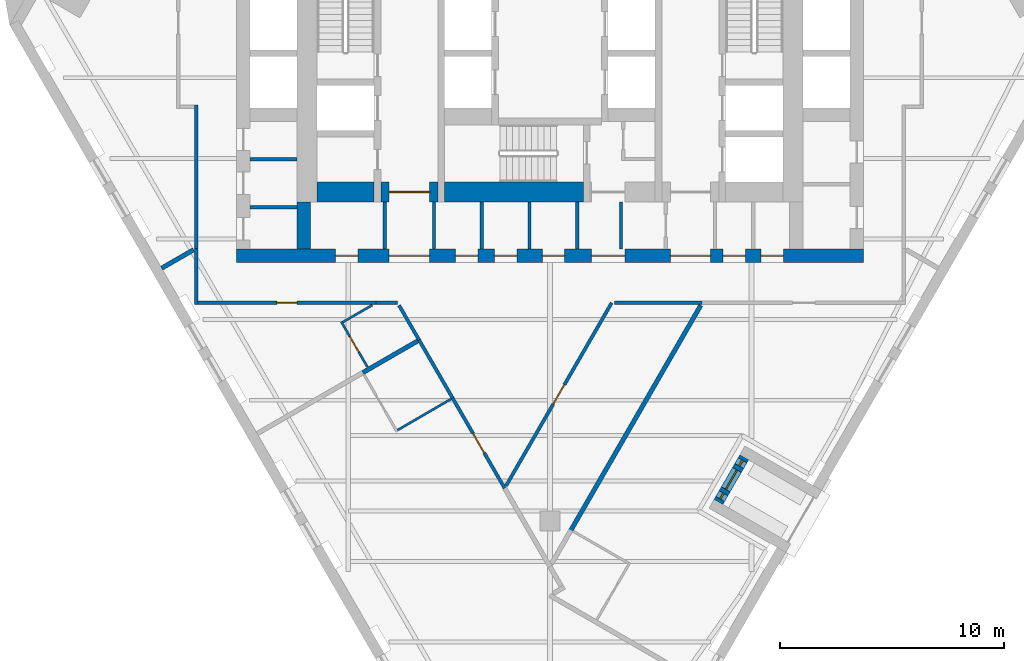
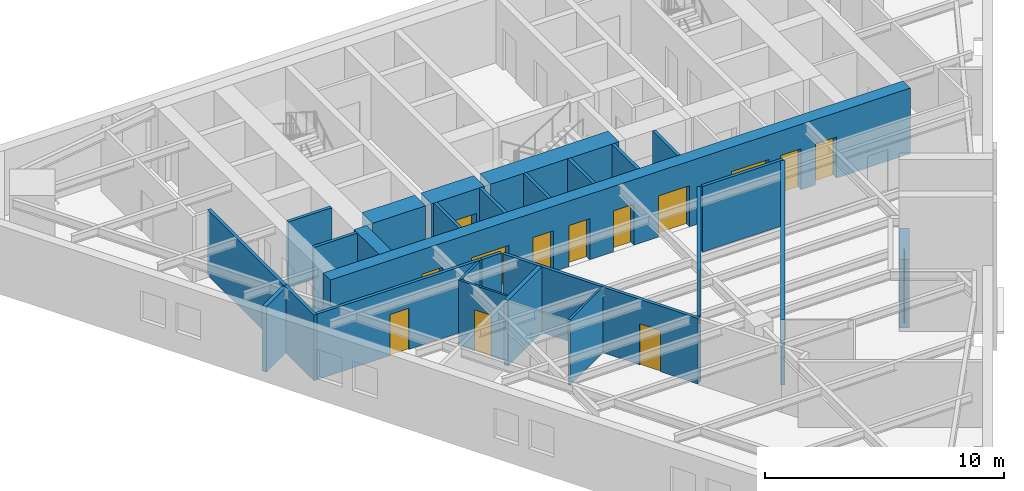
# One storey, part 3 of 7: 29 walls, 15 doors, 2 windows, 17 openings.
"""IFC4 building model written with IfcOpenShell, lengths in metres."""

from ifc_helpers import new_model, si_unit, direction, frame, frame_2d, origin, place, context, subcontext, project, spatial, rectangle, extrude, material, layer, layer_set, type_object, element, fill, save


model = new_model("IFC4")

# Units and contexts
model_context = context("Model", 3, precision=1e-05, world=origin(), true_north=direction((0.0, 1.0)))
body_context = subcontext(model_context, "Body", "Model", "MODEL_VIEW")
ifc_project = project(units=[si_unit("LENGTHUNIT", "METRE"), si_unit("AREAUNIT", "SQUARE_METRE"), si_unit("VOLUMEUNIT", "CUBIC_METRE"), si_unit("PLANEANGLEUNIT", "RADIAN"), si_unit("MASSUNIT", "GRAM", prefix="KILO")], contexts=[model_context])

# Site, building, storey
site_placement = place(None, origin())
site = spatial("IfcSite", under=ifc_project, at=site_placement, CompositionType="ELEMENT")
building_placement = place(site_placement, origin())
building = spatial("IfcBuilding", under=site, at=building_placement, Name="Aloe Facet Convention Tower", CompositionType="ELEMENT")
storey_placement = place(building_placement, frame((0.0, 0.0, 113.300048828125)))
storey = spatial("IfcBuildingStorey", under=building, at=storey_placement, Name="L28", CompositionType="ELEMENT", Elevation=113.300048828125)

# Walls
ifc_material_1 = material(Name="Concrete blockwork partition", Category="masonry")
ifc_layer_1 = layer(ifc_material_1, 0.14990234375)
ifc_layer_set_1 = layer_set([ifc_layer_1], Name="CR-W-PART150")
wall_type_1 = type_object("IfcWallType", Name="CR-W-PART150", PredefinedType="PARTITIONING", material=ifc_layer_set_1)
for number, where, z_axis, x_axis, name in (
    (1, (66.60009765625, 124.16455078125, 0.0), (0.0, 0.0, 1.0), (1.0, 0.0, 0.0), "Core partition L28-007"),
    (2, (66.60009765625, 122.02490234375, 0.0), (0.0, 0.0, 1.0), (1.0, 0.0, 0.0), "Core partition L28-008"),
):
    element("IfcWall", number, at=place(storey_placement, frame(where, z_axis=z_axis, x_axis=x_axis)), inside=storey, type_object=wall_type_1, Name=name, PredefinedType="PARTITIONING", context=body_context, shape_type="SweptSolid", body=[
        extrude(rectangle(XDim=2.099853515625, YDim=0.14990234375, at=frame_2d((1.0498046875, 0.0))), origin(), (0.0, 0.0, 1.0), 3.349853515625),
    ])
for number, where, z_axis, x_axis, name in (
    (3, (72.625, 122.25, 0.0), (0.0, 0.0, 1.0), (0.0, -1.0, 0.0), "Core partition L28-017"),
    (4, (74.824951171875, 122.25, 0.0), (0.0, 0.0, 1.0), (0.0, -1.0, 0.0), "Core partition L28-018"),
    (5, (76.958251953125, 122.25, 0.0), (0.0, 0.0, 1.0), (0.0, -1.0, 0.0), "Core partition L28-024"),
    (6, (79.091552734375, 122.25, 0.0), (0.0, 0.0, 1.0), (0.0, -1.0, 0.0), "Core partition L28-027"),
    (7, (81.22509765625, 122.25, 0.0), (0.0, 0.0, 1.0), (0.0, -1.0, 0.0), "Core partition L28-028"),
    (8, (83.175048828125, 122.25, 0.0), (0.0, 0.0, 1.0), (0.0, -1.0, 0.0), "Core partition L28-035"),
):
    element("IfcWall", number, at=place(storey_placement, frame(where, z_axis=z_axis, x_axis=x_axis)), inside=storey, type_object=wall_type_1, Name=name, PredefinedType="PARTITIONING", context=body_context, shape_type="SweptSolid", body=[
        extrude(rectangle(XDim=2.10009765625, YDim=0.14990234375, at=frame_2d((1.050048828125, 0.0))), origin(), (0.0, 0.0, 1.0), 3.349853515625),
    ])

# Wall, openings, doors
ifc_material_2 = material(Name="Concrete C70/85", Category="concrete")
ifc_layer_2 = layer(ifc_material_2, 0.60009765625)
ifc_layer_set_2 = layer_set([ifc_layer_2], Name="CR-W-RC600-C7085")
wall_type_2 = type_object("IfcWallType", Name="CR-W-RC600-C7085", PredefinedType="SOLIDWALL", material=ifc_layer_set_2)
wall_1_placement = place(storey_placement, frame((66.0, 119.85009765625, 0.0), z_axis=(0.0, 0.0, 1.0), x_axis=(1.0, 0.0, 0.0)))
wall_1 = element("IfcWall", 9, at=wall_1_placement, inside=storey, type_object=wall_type_2, Name="Core wall L28-003", PredefinedType="SOLIDWALL", context=body_context, shape_type="SweptSolid", body=[
    extrude(rectangle(XDim=28.0, YDim=0.60009765625, at=frame_2d((14.0, 0.0))), origin(), (0.0, 0.0, 1.0), 3.349853515625),
])
opening_1_placement = place(wall_1_placement, frame((6.824951171875, 0.0, 0.0)))
opening_1 = element("IfcOpeningElement", 10, at=opening_1_placement, cuts=wall_1, Name="Opening L28-CD16", PredefinedType="OPENING", context=body_context, shape_type="SweptSolid", body=[
    extrude(rectangle(XDim=1.800048828125, YDim=2.10009765625, at=frame_2d((0.89990234375, 1.050048828125))), frame((0.0, 0.31005859375, 0.0), z_axis=(0.0, -1.0, 0.0), x_axis=(1.0, 0.0, 0.0)), (0.0, 0.0, 1.0), 0.6201171875),
])
opening_2_placement = place(wall_1_placement, frame((15.85009765625, 0.0, 0.0)))
opening_2 = element("IfcOpeningElement", 11, at=opening_2_placement, cuts=wall_1, Name="Opening L28-CD17", PredefinedType="OPENING", context=body_context, shape_type="SweptSolid", body=[
    extrude(rectangle(XDim=1.5, YDim=2.10009765625, at=frame_2d((0.75, 1.050048828125))), frame((0.0, 0.31005859375, 0.0), z_axis=(0.0, -1.0, 0.0), x_axis=(1.0, 0.0, 0.0)), (0.0, 0.0, 1.0), 0.6201171875),
])
opening_3_placement = place(wall_1_placement, frame((19.375, 0.0, 0.0)))
opening_3 = element("IfcOpeningElement", 12, at=opening_3_placement, cuts=wall_1, Name="Opening L28-CD18", PredefinedType="OPENING", context=body_context, shape_type="SweptSolid", body=[
    extrude(rectangle(XDim=1.800048828125, YDim=2.10009765625, at=frame_2d((0.89990234375, 1.050048828125))), frame((0.0, 0.31005859375, 0.0), z_axis=(0.0, -1.0, 0.0), x_axis=(1.0, 0.0, 0.0)), (0.0, 0.0, 1.0), 0.6201171875),
])
opening_4_placement = place(wall_1_placement, frame((4.425048828125, 0.0, 0.0)))
opening_4 = element("IfcOpeningElement", 13, at=opening_4_placement, cuts=wall_1, Name="Opening L28-CD23", PredefinedType="OPENING", context=body_context, shape_type="SweptSolid", body=[
    extrude(rectangle(XDim=1.0, YDim=2.10009765625, at=frame_2d((0.5, 1.050048828125))), frame((0.0, 0.31005859375, 0.0), z_axis=(0.0, -1.0, 0.0), x_axis=(1.0, 0.0, 0.0)), (0.0, 0.0, 1.0), 0.6201171875),
])
opening_5_placement = place(wall_1_placement, frame((9.783203125, 0.0, 0.0)))
opening_5 = element("IfcOpeningElement", 14, at=opening_5_placement, cuts=wall_1, Name="Opening L28-CD24", PredefinedType="OPENING", context=body_context, shape_type="SweptSolid", body=[
    extrude(rectangle(XDim=1.0, YDim=2.10009765625, at=frame_2d((0.5, 1.050048828125))), frame((0.0, 0.31005859375, 0.0), z_axis=(0.0, -1.0, 0.0), x_axis=(1.0, 0.0, 0.0)), (0.0, 0.0, 1.0), 0.6201171875),
])
opening_6_placement = place(wall_1_placement, frame((11.52490234375, 0.0, 0.0)))
opening_6 = element("IfcOpeningElement", 15, at=opening_6_placement, cuts=wall_1, Name="Opening L28-CD25", PredefinedType="OPENING", context=body_context, shape_type="SweptSolid", body=[
    extrude(rectangle(XDim=1.0, YDim=2.10009765625, at=frame_2d((0.5, 1.050048828125))), frame((0.0, 0.31005859375, 0.0), z_axis=(0.0, -1.0, 0.0), x_axis=(1.0, 0.0, 0.0)), (0.0, 0.0, 1.0), 0.6201171875),
])
opening_7_placement = place(wall_1_placement, frame((13.658203125, 0.0, 0.0)))
opening_7 = element("IfcOpeningElement", 16, at=opening_7_placement, cuts=wall_1, Name="Opening L28-CD26", PredefinedType="OPENING", context=body_context, shape_type="SweptSolid", body=[
    extrude(rectangle(XDim=1.0, YDim=2.10009765625, at=frame_2d((0.5, 1.050048828125))), frame((0.0, 0.31005859375, 0.0), z_axis=(0.0, -1.0, 0.0), x_axis=(1.0, 0.0, 0.0)), (0.0, 0.0, 1.0), 0.6201171875),
])
opening_8_placement = place(wall_1_placement, frame((21.72509765625, 0.0, 0.0)))
opening_8 = element("IfcOpeningElement", 17, at=opening_8_placement, cuts=wall_1, Name="Opening L28-CD28", PredefinedType="OPENING", context=body_context, shape_type="SweptSolid", body=[
    extrude(rectangle(XDim=1.0, YDim=2.10009765625, at=frame_2d((0.5, 1.050048828125))), frame((0.0, 0.31005859375, 0.0), z_axis=(0.0, -1.0, 0.0), x_axis=(1.0, 0.0, 0.0)), (0.0, 0.0, 1.0), 0.6201171875),
])
opening_9_placement = place(wall_1_placement, frame((23.425048828125, 0.0, 0.0)))
opening_9 = element("IfcOpeningElement", 18, at=opening_9_placement, cuts=wall_1, Name="Opening L28-CD29", PredefinedType="OPENING", context=body_context, shape_type="SweptSolid", body=[
    extrude(rectangle(XDim=1.0, YDim=2.10009765625, at=frame_2d((0.5, 1.050048828125))), frame((0.0, 0.31005859375, 0.0), z_axis=(0.0, -1.0, 0.0), x_axis=(1.0, 0.0, 0.0)), (0.0, 0.0, 1.0), 0.6201171875),
])
ifc_material_3 = material(Name="Steel fire-resisting door set FD60", Category="steel")
door_type_1 = type_object("IfcDoorType", Name="CR-D-EXIT-1500-FD60-DD", OperationType="DOUBLE_DOOR_DOUBLE_SWING", PredefinedType="DOOR", material=ifc_material_3)
door_1_placement = place(opening_2_placement, origin())
door_1 = element("IfcDoor", 19, at=door_1_placement, inside=storey, type_object=door_type_1, Name="Core door L28-CD17", OperationType="DOUBLE_DOOR_DOUBLE_SWING", OverallHeight=2.10009765625, OverallWidth=1.5, PredefinedType="DOOR", context=body_context, shape_type="SweptSolid", body=[
    extrude(rectangle(XDim=1.5, YDim=2.10009765625, at=frame_2d((0.75, 1.050048828125))), frame((0.0, 0.02490234375, 0.0), z_axis=(0.0, -1.0, 0.0), x_axis=(1.0, 0.0, 0.0)), (0.0, 0.0, 1.0), 0.050048828125),
])
fill(opening_2, door_1)
ifc_material_4 = material(Name="Steel fire-resisting door set FD60", Category="steel")
door_type_2 = type_object("IfcDoorType", Name="CR-D-EXIT-1800-FD60-DD", OperationType="DOUBLE_DOOR_DOUBLE_SWING", PredefinedType="DOOR", material=ifc_material_4)
door_2_placement = place(opening_1_placement, origin())
door_2 = element("IfcDoor", 20, at=door_2_placement, inside=storey, type_object=door_type_2, Name="Core door L28-CD16", OperationType="DOUBLE_DOOR_DOUBLE_SWING", OverallHeight=2.10009765625, OverallWidth=1.800048828125, PredefinedType="DOOR", context=body_context, shape_type="SweptSolid", body=[
    extrude(rectangle(XDim=1.800048828125, YDim=2.10009765625, at=frame_2d((0.89990234375, 1.050048828125))), frame((0.0, 0.02490234375, 0.0), z_axis=(0.0, -1.0, 0.0), x_axis=(1.0, 0.0, 0.0)), (0.0, 0.0, 1.0), 0.050048828125),
])
fill(opening_1, door_2)
door_3_placement = place(opening_3_placement, origin())
door_3 = element("IfcDoor", 21, at=door_3_placement, inside=storey, type_object=door_type_2, Name="Core door L28-CD18", OperationType="DOUBLE_DOOR_DOUBLE_SWING", OverallHeight=2.10009765625, OverallWidth=1.800048828125, PredefinedType="DOOR", context=body_context, shape_type="SweptSolid", body=[
    extrude(rectangle(XDim=1.800048828125, YDim=2.10009765625, at=frame_2d((0.89990234375, 1.050048828125))), frame((0.0, 0.02490234375, 0.0), z_axis=(0.0, -1.0, 0.0), x_axis=(1.0, 0.0, 0.0)), (0.0, 0.0, 1.0), 0.050048828125),
])
fill(opening_3, door_3)
ifc_material_5 = material(Name="Steel fire-resisting door set FD60", Category="steel")
door_type_3 = type_object("IfcDoorType", Name="CR-D-ROOM-1000-FD60-SRIGHT", OperationType="SINGLE_SWING_RIGHT", PredefinedType="DOOR", material=ifc_material_5)
door_4_placement = place(opening_4_placement, origin())
door_4 = element("IfcDoor", 22, at=door_4_placement, inside=storey, type_object=door_type_3, Name="Core door L28-CD23", OperationType="SINGLE_SWING_RIGHT", OverallHeight=2.10009765625, OverallWidth=1.0, PredefinedType="DOOR", context=body_context, shape_type="SweptSolid", body=[
    extrude(rectangle(XDim=1.0, YDim=2.10009765625, at=frame_2d((0.5, 1.050048828125))), frame((0.0, 0.02490234375, 0.0), z_axis=(0.0, -1.0, 0.0), x_axis=(1.0, 0.0, 0.0)), (0.0, 0.0, 1.0), 0.050048828125),
])
fill(opening_4, door_4)
door_5_placement = place(opening_5_placement, origin())
door_5 = element("IfcDoor", 23, at=door_5_placement, inside=storey, type_object=door_type_3, Name="Core door L28-CD24", OperationType="SINGLE_SWING_RIGHT", OverallHeight=2.10009765625, OverallWidth=1.0, PredefinedType="DOOR", context=body_context, shape_type="SweptSolid", body=[
    extrude(rectangle(XDim=1.0, YDim=2.10009765625, at=frame_2d((0.5, 1.050048828125))), frame((0.0, 0.02490234375, 0.0), z_axis=(0.0, -1.0, 0.0), x_axis=(1.0, 0.0, 0.0)), (0.0, 0.0, 1.0), 0.050048828125),
])
fill(opening_5, door_5)
door_6_placement = place(opening_6_placement, origin())
door_6 = element("IfcDoor", 24, at=door_6_placement, inside=storey, type_object=door_type_3, Name="Core door L28-CD25", OperationType="SINGLE_SWING_RIGHT", OverallHeight=2.10009765625, OverallWidth=1.0, PredefinedType="DOOR", context=body_context, shape_type="SweptSolid", body=[
    extrude(rectangle(XDim=1.0, YDim=2.10009765625, at=frame_2d((0.5, 1.050048828125))), frame((0.0, 0.02490234375, 0.0), z_axis=(0.0, -1.0, 0.0), x_axis=(1.0, 0.0, 0.0)), (0.0, 0.0, 1.0), 0.050048828125),
])
fill(opening_6, door_6)
door_7_placement = place(opening_7_placement, origin())
door_7 = element("IfcDoor", 25, at=door_7_placement, inside=storey, type_object=door_type_3, Name="Core door L28-CD26", OperationType="SINGLE_SWING_RIGHT", OverallHeight=2.10009765625, OverallWidth=1.0, PredefinedType="DOOR", context=body_context, shape_type="SweptSolid", body=[
    extrude(rectangle(XDim=1.0, YDim=2.10009765625, at=frame_2d((0.5, 1.050048828125))), frame((0.0, 0.02490234375, 0.0), z_axis=(0.0, -1.0, 0.0), x_axis=(1.0, 0.0, 0.0)), (0.0, 0.0, 1.0), 0.050048828125),
])
fill(opening_7, door_7)
door_8_placement = place(opening_8_placement, origin())
door_8 = element("IfcDoor", 26, at=door_8_placement, inside=storey, type_object=door_type_3, Name="Core door L28-CD28", OperationType="SINGLE_SWING_RIGHT", OverallHeight=2.10009765625, OverallWidth=1.0, PredefinedType="DOOR", context=body_context, shape_type="SweptSolid", body=[
    extrude(rectangle(XDim=1.0, YDim=2.10009765625, at=frame_2d((0.5, 1.050048828125))), frame((0.0, 0.02490234375, 0.0), z_axis=(0.0, -1.0, 0.0), x_axis=(1.0, 0.0, 0.0)), (0.0, 0.0, 1.0), 0.050048828125),
])
fill(opening_8, door_8)
door_9_placement = place(opening_9_placement, origin())
door_9 = element("IfcDoor", 27, at=door_9_placement, inside=storey, type_object=door_type_3, Name="Core door L28-CD29", OperationType="SINGLE_SWING_RIGHT", OverallHeight=2.10009765625, OverallWidth=1.0, PredefinedType="DOOR", context=body_context, shape_type="SweptSolid", body=[
    extrude(rectangle(XDim=1.0, YDim=2.10009765625, at=frame_2d((0.5, 1.050048828125))), frame((0.0, 0.02490234375, 0.0), z_axis=(0.0, -1.0, 0.0), x_axis=(1.0, 0.0, 0.0)), (0.0, 0.0, 1.0), 0.050048828125),
])
fill(opening_9, door_9)

# Walls
wall_2_placement = place(storey_placement, frame((69.0, 122.25, 0.0), z_axis=(0.0, 0.0, 1.0), x_axis=(0.0, -1.0, 0.0)))
element("IfcWall", 28, at=wall_2_placement, inside=storey, type_object=wall_type_2, Name="Core wall L28-010", PredefinedType="SOLIDWALL", context=body_context, shape_type="SweptSolid", body=[
    extrude(rectangle(XDim=2.10009765625, YDim=0.60009765625, at=frame_2d((1.050048828125, 0.0))), origin(), (0.0, 0.0, 1.0), 3.349853515625),
])
ifc_material_6 = material(Name="Concrete C70/85", Category="concrete")
ifc_layer_3 = layer(ifc_material_6, 0.89990234375)
ifc_layer_set_3 = layer_set([ifc_layer_3], Name="CR-W-RC900-C7085")
wall_type_3 = type_object("IfcWallType", Name="CR-W-RC900-C7085", PredefinedType="SOLIDWALL", material=ifc_layer_set_3)
wall_3_placement = place(storey_placement, frame((69.60009765625, 122.699951171875, 0.0), z_axis=(0.0, 0.0, 1.0), x_axis=(1.0, 0.0, 0.0)))
element("IfcWall", 29, at=wall_3_placement, inside=storey, type_object=wall_type_3, Name="Core wall L28-013", PredefinedType="SOLIDWALL", context=body_context, shape_type="SweptSolid", body=[
    extrude(rectangle(XDim=2.5498046875, YDim=0.89990234375, at=frame_2d((1.27490234375, 0.0))), origin(), (0.0, 0.0, 1.0), 3.349853515625),
])

# Wall, opening, door
wall_4_placement = place(storey_placement, frame((72.449951171875, 122.699951171875, 0.0), z_axis=(0.0, 0.0, 1.0), x_axis=(1.0, 0.0, 0.0)))
wall_4 = element("IfcWall", 30, at=wall_4_placement, inside=storey, type_object=wall_type_3, Name="Core wall L28-016", PredefinedType="SOLIDWALL", context=body_context, shape_type="SweptSolid", body=[
    extrude(rectangle(XDim=2.550048828125, YDim=0.89990234375, at=frame_2d((1.27490234375, 0.0))), origin(), (0.0, 0.0, 1.0), 3.349853515625),
])
opening_10_placement = place(wall_4_placement, frame((0.375, 0.0, 0.0)))
opening_10 = element("IfcOpeningElement", 31, at=opening_10_placement, cuts=wall_4, Name="Opening L28-CD14", PredefinedType="OPENING", context=body_context, shape_type="SweptSolid", body=[
    extrude(rectangle(XDim=1.800048828125, YDim=2.10009765625, at=frame_2d((0.89990234375, 1.050048828125))), frame((0.0, 0.4599609375, 0.0), z_axis=(0.0, -1.0, 0.0), x_axis=(1.0, 0.0, 0.0)), (0.0, 0.0, 1.0), 0.919921875),
])
ifc_material_7 = material(Name="Steel fire-resisting door set FD120", Category="steel")
door_type_4 = type_object("IfcDoorType", Name="CR-D-EXIT-1800-FD120-DD", OperationType="DOUBLE_DOOR_DOUBLE_SWING", PredefinedType="DOOR", material=ifc_material_7)
door_10_placement = place(opening_10_placement, origin())
door_10 = element("IfcDoor", 32, at=door_10_placement, inside=storey, type_object=door_type_4, Name="Core door L28-CD14", OperationType="DOUBLE_DOOR_DOUBLE_SWING", OverallHeight=2.10009765625, OverallWidth=1.800048828125, PredefinedType="DOOR", context=body_context, shape_type="SweptSolid", body=[
    extrude(rectangle(XDim=1.800048828125, YDim=2.10009765625, at=frame_2d((0.89990234375, 1.050048828125))), frame((0.0, 0.02490234375, 0.0), z_axis=(0.0, -1.0, 0.0), x_axis=(1.0, 0.0, 0.0)), (0.0, 0.0, 1.0), 0.050048828125),
])
fill(opening_10, door_10)

# Wall
wall_5_placement = place(storey_placement, frame((75.300048828125, 122.699951171875, 0.0), z_axis=(0.0, 0.0, 1.0), x_axis=(1.0, 0.0, 0.0)))
element("IfcWall", 33, at=wall_5_placement, inside=storey, type_object=wall_type_3, Name="Core wall L28-023", PredefinedType="SOLIDWALL", context=body_context, shape_type="SweptSolid", body=[
    extrude(rectangle(XDim=6.199951171875, YDim=0.89990234375, at=frame_2d((3.10009765625, 0.0))), origin(), (0.0, 0.0, 1.0), 3.349853515625),
])

# Wall, openings, door, windows
ifc_material_8 = material(Name="Precast concrete C40/50", Category="concrete")
ifc_layer_4 = layer(ifc_material_8, 0.449951171875)
ifc_layer_set_4 = layer_set([ifc_layer_4], Name="EV-WALL-STONE")
wall_type_4 = type_object("IfcWallType", Name="EV-WALL-STONE", PredefinedType="SOLIDWALL", material=ifc_layer_set_4)
wall_6_placement = place(storey_placement, frame((87.527587890625, 108.85888671875, -0.150146484375), z_axis=(0.0, 0.0, 1.0), x_axis=(0.500077740698, 0.865980515519, 0.0)))
wall_6 = element("IfcWall", 34, at=wall_6_placement, inside=storey, type_object=wall_type_4, Name="TB-T06-L28", PredefinedType="SOLIDWALL", context=body_context, shape_type="SweptSolid", body=[
    extrude(rectangle(XDim=2.300048828125, YDim=0.449951171875, at=frame_2d((1.14990234375, 0.0))), origin(), (0.0, 0.0, 1.0), 3.5),
])
opening_11_placement = place(wall_6_placement, frame((0.64990234375, 0.0, 0.14990234375)))
opening_11 = element("IfcOpeningElement", 35, at=opening_11_placement, cuts=wall_6, Name="Opening D-T06", PredefinedType="OPENING", context=body_context, shape_type="SweptSolid", body=[
    extrude(rectangle(XDim=1.0, YDim=2.39990234375, at=frame_2d((0.5, 1.199951171875))), frame((0.0, 0.23486328125, 0.0), z_axis=(0.0, -1.0, 0.0), x_axis=(1.0, 0.0, 0.0)), (0.0, 0.0, 1.0), 0.469970703125),
])
opening_12_placement = place(wall_6_placement, frame((0.14990234375, 0.0, 0.14990234375)))
opening_12 = element("IfcOpeningElement", 36, at=opening_12_placement, cuts=wall_6, Name="Opening G-T06-1", PredefinedType="OPENING", context=body_context, shape_type="SweptSolid", body=[
    extrude(rectangle(XDim=0.300048828125, YDim=2.39990234375, at=frame_2d((0.14990234375, 1.199951171875))), frame((0.0, 0.23486328125, 0.0), z_axis=(0.0, -1.0, 0.0), x_axis=(1.0, 0.0, 0.0)), (0.0, 0.0, 1.0), 0.469970703125),
])
opening_13_placement = place(wall_6_placement, frame((1.85009765625, 0.0, 0.14990234375)))
opening_13 = element("IfcOpeningElement", 37, at=opening_13_placement, cuts=wall_6, Name="Opening G-T06-2", PredefinedType="OPENING", context=body_context, shape_type="SweptSolid", body=[
    extrude(rectangle(XDim=0.300048828125, YDim=2.39990234375, at=frame_2d((0.14990234375, 1.199951171875))), frame((0.0, 0.23486328125, 0.0), z_axis=(0.0, -1.0, 0.0), x_axis=(1.0, 0.0, 0.0)), (0.0, 0.0, 1.0), 0.469970703125),
])
ifc_material_9 = material(Name="Aluminium frame, clear double glazing", Category="aluminium")
door_type_5 = type_object("IfcDoorType", Name="EV-DOOR-TERR", OperationType="SINGLE_SWING_LEFT", PredefinedType="DOOR", material=ifc_material_9)
door_11_placement = place(opening_11_placement, origin())
door_11 = element("IfcDoor", 38, at=door_11_placement, inside=storey, type_object=door_type_5, Name="D-T06", OperationType="SINGLE_SWING_LEFT", OverallHeight=2.39990234375, OverallWidth=1.0, PredefinedType="DOOR", context=body_context, shape_type="SweptSolid", body=[
    extrude(rectangle(XDim=1.0, YDim=2.39990234375, at=frame_2d((0.5, 1.199951171875))), frame((0.0, 0.02490234375, 0.0), z_axis=(0.0, -1.0, 0.0), x_axis=(1.0, 0.0, 0.0)), (0.0, 0.0, 1.0), 0.050048828125),
])
fill(opening_11, door_11)
ifc_material_10 = material(Name="Aluminium frame, clear double glazing", Category="aluminium")
window_type = type_object("IfcWindowType", Name="EV-WIN-SL30", PartitioningType="SINGLE_PANEL", PredefinedType="WINDOW", material=ifc_material_10)
window_1_placement = place(opening_12_placement, origin())
window_1 = element("IfcWindow", 39, at=window_1_placement, inside=storey, type_object=window_type, Name="G-T06-1", OverallHeight=2.39990234375, OverallWidth=0.300048828125, PartitioningType="SINGLE_PANEL", PredefinedType="WINDOW", context=body_context, shape_type="SweptSolid", body=[
    extrude(rectangle(XDim=0.300048828125, YDim=2.39990234375, at=frame_2d((0.14990234375, 1.199951171875))), frame((0.0, 0.030029296875, 0.0), z_axis=(0.0, -1.0, 0.0), x_axis=(1.0, 0.0, 0.0)), (0.0, 0.0, 1.0), 0.06005859375),
])
fill(opening_12, window_1)
window_2_placement = place(opening_13_placement, origin())
window_2 = element("IfcWindow", 40, at=window_2_placement, inside=storey, type_object=window_type, Name="G-T06-2", OverallHeight=2.39990234375, OverallWidth=0.300048828125, PartitioningType="SINGLE_PANEL", PredefinedType="WINDOW", context=body_context, shape_type="SweptSolid", body=[
    extrude(rectangle(XDim=0.300048828125, YDim=2.39990234375, at=frame_2d((0.14990234375, 1.199951171875))), frame((0.0, 0.030029296875, 0.0), z_axis=(0.0, -1.0, 0.0), x_axis=(1.0, 0.0, 0.0)), (0.0, 0.0, 1.0), 0.06005859375),
])
fill(opening_13, window_2)

# Wall, opening, door
ifc_material_11 = material(Name="Gypsum board partition on steel studs", Category="steel")
ifc_layer_5 = layer(ifc_material_11, 0.14990234375)
ifc_layer_set_5 = layer_set([ifc_layer_5], Name="IN-W-CORR")
wall_type_5 = type_object("IfcWallType", Name="IN-W-CORR", PredefinedType="PARTITIONING", material=ifc_layer_set_5)
wall_7_placement = place(storey_placement, frame((75.6552734375, 113.495849609375, 0.0), z_axis=(0.0, 0.0, 1.0), x_axis=(0.499986163319, -0.866033392248, 0.0)))
wall_7 = element("IfcWall", 41, at=wall_7_placement, inside=storey, type_object=wall_type_5, Name="Partition L28-W011", PredefinedType="PARTITIONING", context=body_context, shape_type="SweptSolid", body=[
    extrude(rectangle(XDim=4.648193359375, YDim=0.14990234375, at=frame_2d((2.32421875, 0.0))), origin(), (0.0, 0.0, 1.0), 3.349853515625),
])
opening_14_placement = place(wall_7_placement, frame((1.823974609375, 0.0, 0.0)))
opening_14 = element("IfcOpeningElement", 42, at=opening_14_placement, cuts=wall_7, Name="Opening L28-002", PredefinedType="OPENING", context=body_context, shape_type="SweptSolid", body=[
    extrude(rectangle(XDim=1.0, YDim=2.10009765625, at=frame_2d((0.5, 1.050048828125))), frame((0.0, 0.0849609375, 0.0), z_axis=(0.0, -1.0, 0.0), x_axis=(1.0, 0.0, 0.0)), (0.0, 0.0, 1.0), 0.169921875),
])
ifc_material_12 = material(Name="Hardwood flush door FD30S", Category="wood")
door_type_6 = type_object("IfcDoorType", Name="IN-D-WIDE", OperationType="SINGLE_SWING_LEFT", PredefinedType="DOOR", material=ifc_material_12)
door_12_placement = place(opening_14_placement, origin())
door_12 = element("IfcDoor", 43, at=door_12_placement, inside=storey, type_object=door_type_6, Name="Door L28-002", OperationType="SINGLE_SWING_LEFT", OverallHeight=2.10009765625, OverallWidth=1.0, PredefinedType="DOOR", context=body_context, shape_type="SweptSolid", body=[
    extrude(rectangle(XDim=1.0, YDim=2.10009765625, at=frame_2d((0.5, 1.050048828125))), frame((0.0, 0.02490234375, 0.0), z_axis=(0.0, -1.0, 0.0), x_axis=(1.0, 0.0, 0.0)), (0.0, 0.0, 1.0), 0.050048828125),
])
fill(opening_14, door_12)

# Walls
wall_8_placement = place(storey_placement, frame((74.16015625, 116.085205078125, 0.0), z_axis=(0.0, 0.0, 1.0), x_axis=(0.500038154266, -0.866003374288, 0.0)))
element("IfcWall", 44, at=wall_8_placement, inside=storey, type_object=wall_type_5, Name="Partition L28-W018", PredefinedType="PARTITIONING", context=body_context, shape_type="SweptSolid", body=[
    extrude(rectangle(XDim=2.989990234375, YDim=0.14990234375, at=frame_2d((1.4951171875, 0.0))), origin(), (0.0, 0.0, 1.0), 3.349853515625),
])
wall_9_placement = place(storey_placement, frame((64.199951171875, 117.675048828125, 0.0), z_axis=(0.0, 0.0, 1.0), x_axis=(0.0, 1.0, 0.0)))
element("IfcWall", 45, at=wall_9_placement, inside=storey, type_object=wall_type_5, Name="Partition L28-W021", PredefinedType="PARTITIONING", context=body_context, shape_type="SweptSolid", body=[
    extrude(rectangle(XDim=2.507568359375, YDim=0.14990234375, at=frame_2d((1.25390625, 0.0))), origin(), (0.0, 0.0, 1.0), 3.349853515625),
])
wall_10_placement = place(storey_placement, frame((72.24365234375, 117.75, 0.0), z_axis=(0.0, 0.0, 1.0), x_axis=(1.0, 0.0, 0.0)))
element("IfcWall", 46, at=wall_10_placement, inside=storey, type_object=wall_type_5, Name="Partition L28-W022", PredefinedType="PARTITIONING", context=body_context, shape_type="SweptSolid", body=[
    extrude(rectangle(XDim=0.95556640625, YDim=0.14990234375, at=frame_2d((0.477783203125, 0.0))), origin(), (0.0, 0.0, 1.0), 3.349853515625),
])

# Wall, opening, door
wall_11_placement = place(storey_placement, frame((64.27490234375, 117.75, 0.0), z_axis=(0.0, 0.0, 1.0), x_axis=(1.0, 0.0, 0.0)))
wall_11 = element("IfcWall", 47, at=wall_11_placement, inside=storey, type_object=wall_type_5, Name="Partition L28-W023", PredefinedType="PARTITIONING", context=body_context, shape_type="SweptSolid", body=[
    extrude(rectangle(XDim=7.96875, YDim=0.14990234375, at=frame_2d((3.984375, 0.0))), origin(), (0.0, 0.0, 1.0), 3.349853515625),
])
opening_15_placement = place(wall_11_placement, frame((3.534423828125, 0.0, 0.0)))
opening_15 = element("IfcOpeningElement", 48, at=opening_15_placement, cuts=wall_11, Name="Opening L28-001", PredefinedType="OPENING", context=body_context, shape_type="SweptSolid", body=[
    extrude(rectangle(XDim=0.89990234375, YDim=2.10009765625, at=frame_2d((0.449951171875, 1.050048828125))), frame((0.0, 0.0849609375, 0.0), z_axis=(0.0, -1.0, 0.0), x_axis=(1.0, 0.0, 0.0)), (0.0, 0.0, 1.0), 0.169921875),
])
ifc_material_13 = material(Name="Hardwood flush door FD30S", Category="wood")
door_type_7 = type_object("IfcDoorType", Name="IN-D-GUEST", OperationType="SINGLE_SWING_LEFT", PredefinedType="DOOR", material=ifc_material_13)
door_13_placement = place(opening_15_placement, origin())
door_13 = element("IfcDoor", 49, at=door_13_placement, inside=storey, type_object=door_type_7, Name="Door L28-001", OperationType="SINGLE_SWING_LEFT", OverallHeight=2.10009765625, OverallWidth=0.89990234375, PredefinedType="DOOR", context=body_context, shape_type="SweptSolid", body=[
    extrude(rectangle(XDim=0.89990234375, YDim=2.10009765625, at=frame_2d((0.449951171875, 1.050048828125))), frame((0.0, 0.02490234375, 0.0), z_axis=(0.0, -1.0, 0.0), x_axis=(1.0, 0.0, 0.0)), (0.0, 0.0, 1.0), 0.050048828125),
])
fill(opening_15, door_13)

# Wall
wall_12_placement = place(storey_placement, frame((73.26416015625, 117.637451171875, 0.0), z_axis=(0.0, 0.0, 1.0), x_axis=(0.499918981156, -0.866072174983, 0.0)))
element("IfcWall", 50, at=wall_12_placement, inside=storey, type_object=wall_type_5, Name="Partition L28-W024", PredefinedType="PARTITIONING", context=body_context, shape_type="SweptSolid", body=[
    extrude(rectangle(XDim=1.792236328125, YDim=0.14990234375, at=frame_2d((0.89599609375, 0.0))), origin(), (0.0, 0.0, 1.0), 3.349853515625),
])

# Wall, opening, door
wall_13_placement = place(storey_placement, frame((78.039306640625, 109.574462890625, 0.0), z_axis=(0.0, 0.0, 1.0), x_axis=(0.50000526672, 0.866022363021, 0.0)))
wall_13 = element("IfcWall", 51, at=wall_13_placement, inside=storey, type_object=wall_type_5, Name="Partition L28-W025", PredefinedType="PARTITIONING", context=body_context, shape_type="SweptSolid", body=[
    extrude(rectangle(XDim=9.4404296875, YDim=0.14990234375, at=frame_2d((4.72021484375, 0.0))), origin(), (0.0, 0.0, 1.0), 3.349853515625),
])
opening_16_placement = place(wall_13_placement, frame((4.22021484375, 0.0, 0.0)))
opening_16 = element("IfcOpeningElement", 52, at=opening_16_placement, cuts=wall_13, Name="Opening L28-004", PredefinedType="OPENING", context=body_context, shape_type="SweptSolid", body=[
    extrude(rectangle(XDim=1.0, YDim=2.10009765625, at=frame_2d((0.5, 1.050048828125))), frame((0.0, 0.0849609375, 0.0), z_axis=(0.0, -1.0, 0.0), x_axis=(1.0, 0.0, 0.0)), (0.0, 0.0, 1.0), 0.169921875),
])
door_14_placement = place(opening_16_placement, origin())
door_14 = element("IfcDoor", 53, at=door_14_placement, inside=storey, type_object=door_type_6, Name="Door L28-004", OperationType="SINGLE_SWING_LEFT", OverallHeight=2.10009765625, OverallWidth=1.0, PredefinedType="DOOR", context=body_context, shape_type="SweptSolid", body=[
    extrude(rectangle(XDim=1.0, YDim=2.10009765625, at=frame_2d((0.5, 1.050048828125))), frame((0.0, 0.02490234375, 0.0), z_axis=(0.0, -1.0, 0.0), x_axis=(1.0, 0.0, 0.0)), (0.0, 0.0, 1.0), 0.050048828125),
])
fill(opening_16, door_14)

# Walls
wall_14_placement = place(storey_placement, frame((82.889404296875, 117.75, 0.0), z_axis=(0.0, 0.0, 1.0), x_axis=(1.0, 0.0, 0.0)))
element("IfcWall", 54, at=wall_14_placement, inside=storey, type_object=wall_type_5, Name="Partition L28-W027", PredefinedType="PARTITIONING", context=body_context, shape_type="SweptSolid", body=[
    extrude(rectangle(XDim=3.911376953125, YDim=0.14990234375, at=frame_2d((1.95556640625, 0.0))), origin(), (0.0, 0.0, 1.0), 3.349853515625),
])
wall_15_placement = place(storey_placement, frame((64.199951171875, 120.1826171875, 0.0), z_axis=(0.0, 0.0, 1.0), x_axis=(0.0, 1.0, 0.0)))
element("IfcWall", 55, at=wall_15_placement, inside=storey, type_object=wall_type_5, Name="Partition L28-W031", PredefinedType="PARTITIONING", context=body_context, shape_type="SweptSolid", body=[
    extrude(rectangle(XDim=6.392333984375, YDim=0.14990234375, at=frame_2d((3.1962890625, 0.0))), origin(), (0.0, 0.0, 1.0), 3.349853515625),
])
ifc_material_14 = material(Name="Gypsum board partition on steel studs", Category="steel")
ifc_layer_6 = layer(ifc_material_14, 0.10009765625)
ifc_layer_set_6 = layer_set([ifc_layer_6], Name="IN-W-PART")
wall_type_6 = type_object("IfcWallType", Name="IN-W-PART", PredefinedType="PARTITIONING", material=ifc_layer_set_6)
wall_16_placement = place(storey_placement, frame((73.20068359375, 112.0673828125, 0.0), z_axis=(0.0, 0.0, 1.0), x_axis=(0.8642895013, 0.502994689775, 0.0)))
element("IfcWall", 56, at=wall_16_placement, inside=storey, type_object=wall_type_6, Name="Partition L28-W014", PredefinedType="PARTITIONING", context=body_context, shape_type="SweptSolid", body=[
    extrude(rectangle(XDim=2.7548828125, YDim=0.10009765625, at=frame_2d((1.37744140625, 0.0))), origin(), (0.0, 0.0, 1.0), 3.349853515625),
])

# Wall, opening, door
wall_17_placement = place(storey_placement, frame((70.68359375, 116.906982421875, 0.0), z_axis=(0.0, 0.0, 1.0), x_axis=(0.499999433879, -0.866025730634, 0.0)))
wall_17 = element("IfcWall", 57, at=wall_17_placement, inside=storey, type_object=wall_type_6, Name="Partition L28-W017", PredefinedType="PARTITIONING", context=body_context, shape_type="SweptSolid", body=[
    extrude(rectangle(XDim=2.33984375, YDim=0.10009765625, at=frame_2d((1.169921875, 0.0))), origin(), (0.0, 0.0, 1.0), 3.349853515625),
])
opening_17_placement = place(wall_17_placement, frame((0.77001953125, 0.0, 0.0)))
opening_17 = element("IfcOpeningElement", 58, at=opening_17_placement, cuts=wall_17, Name="Opening L28-007", PredefinedType="OPENING", context=body_context, shape_type="SweptSolid", body=[
    extrude(rectangle(XDim=0.800048828125, YDim=2.10009765625, at=frame_2d((0.39990234375, 1.050048828125))), frame((0.0, 0.06005859375, 0.0), z_axis=(0.0, -1.0, 0.0), x_axis=(1.0, 0.0, 0.0)), (0.0, 0.0, 1.0), 0.1201171875),
])
ifc_material_15 = material(Name="Timber flush door", Category="wood")
door_type_8 = type_object("IfcDoorType", Name="IN-D-BATH", OperationType="SINGLE_SWING_LEFT", PredefinedType="DOOR", material=ifc_material_15)
door_15_placement = place(opening_17_placement, origin())
door_15 = element("IfcDoor", 59, at=door_15_placement, inside=storey, type_object=door_type_8, Name="Door L28-007", OperationType="SINGLE_SWING_LEFT", OverallHeight=2.10009765625, OverallWidth=0.800048828125, PredefinedType="DOOR", context=body_context, shape_type="SweptSolid", body=[
    extrude(rectangle(XDim=0.800048828125, YDim=2.10009765625, at=frame_2d((0.39990234375, 1.050048828125))), frame((0.0, 0.02490234375, 0.0), z_axis=(0.0, -1.0, 0.0), x_axis=(1.0, 0.0, 0.0)), (0.0, 0.0, 1.0), 0.050048828125),
])
fill(opening_17, door_15)

# Walls
wall_18_placement = place(storey_placement, frame((70.751953125, 116.888671875, 0.0), z_axis=(0.0, 0.0, 1.0), x_axis=(0.866016800201, 0.500014901547, 0.0)))
element("IfcWall", 60, at=wall_18_placement, inside=storey, type_object=wall_type_6, Name="Partition L28-W020", PredefinedType="PARTITIONING", context=body_context, shape_type="SweptSolid", body=[
    extrude(rectangle(XDim=1.517578125, YDim=0.10009765625, at=frame_2d((0.7587890625, 0.0))), origin(), (0.0, 0.0, 1.0), 3.349853515625),
])
ifc_material_16 = material(Name="Gypsum board partition on steel studs", Category="steel")
ifc_layer_7 = layer(ifc_material_16, 0.199951171875)
ifc_layer_set_7 = layer_set([ifc_layer_7], Name="IN-W-PARTY")
wall_type_7 = type_object("IfcWallType", Name="IN-W-PARTY", PredefinedType="PARTITIONING", material=ifc_layer_set_7)
wall_19_placement = place(storey_placement, frame((71.648681640625, 114.63525390625, 0.0), z_axis=(0.0, 0.0, 1.0), x_axis=(0.866011447264, 0.500024172624, 0.0)))
element("IfcWall", 61, at=wall_19_placement, inside=storey, type_object=wall_type_7, Name="Partition L28-W015", PredefinedType="PARTITIONING", context=body_context, shape_type="SweptSolid", body=[
    extrude(rectangle(XDim=2.824951171875, YDim=0.199951171875, at=frame_2d((1.41259765625, 0.0))), origin(), (0.0, 0.0, 1.0), 3.349853515625),
])
wall_20_placement = place(storey_placement, frame((80.943359375, 107.604248046875, 0.0), z_axis=(0.0, 0.0, 1.0), x_axis=(0.499981374323, 0.866036157057, 0.0)))
element("IfcWall", 62, at=wall_20_placement, inside=storey, type_object=wall_type_7, Name="Partition L28-W026", PredefinedType="PARTITIONING", context=body_context, shape_type="SweptSolid", body=[
    extrude(rectangle(XDim=11.59033203125, YDim=0.199951171875, at=frame_2d((5.795166015625, 0.0))), origin(), (0.0, 0.0, 1.0), 3.349853515625),
])
wall_21_placement = place(storey_placement, frame((62.66455078125, 119.29638671875, 0.0), z_axis=(0.0, 0.0, 1.0), x_axis=(0.866101713734, 0.499867803992, 0.0)))
element("IfcWall", 63, at=wall_21_placement, inside=storey, type_object=wall_type_7, Name="Partition L28-W030", PredefinedType="PARTITIONING", context=body_context, shape_type="SweptSolid", body=[
    extrude(rectangle(XDim=1.64794921875, YDim=0.199951171875, at=frame_2d((0.823974609375, 0.0))), origin(), (0.0, 0.0, 1.0), 3.349853515625),
])

save(model, "model.ifc")
